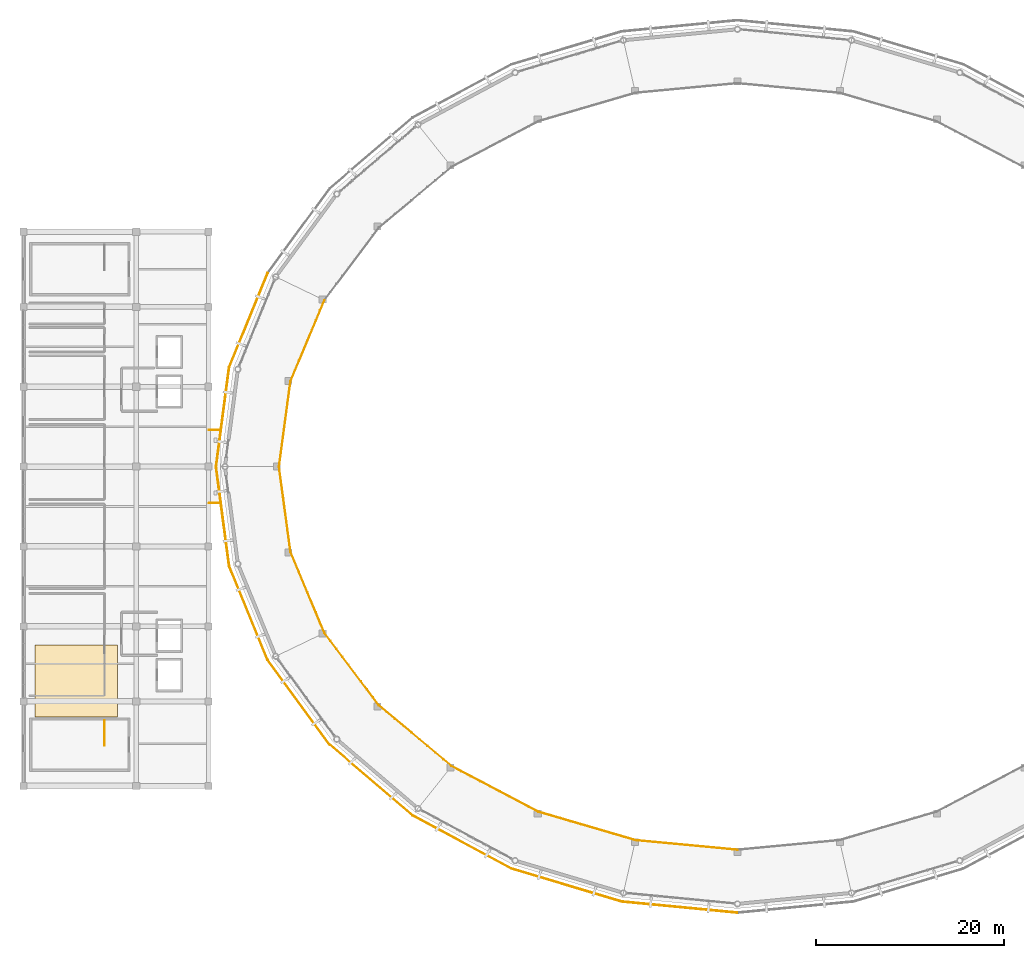
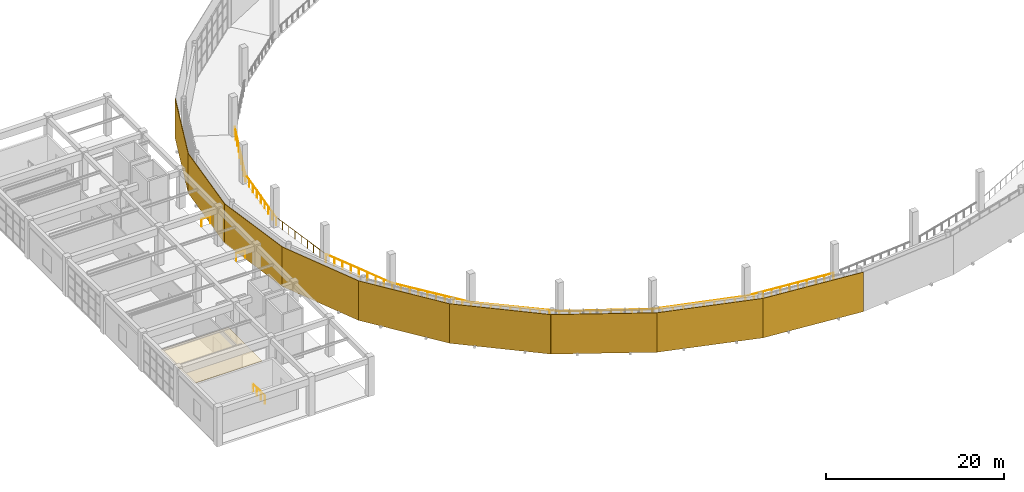
# One storey, part 38 of 40: 12 railings, 10 coverings.
"""IFC4 building model written with IfcOpenShell, lengths in metres."""

from ifc_helpers import new_model, si_unit, direction, frame, frame_2d, origin, origin_2d, place, context, subcontext, project, spatial, polyline, rectangle, circle, outline, extrude, material, layer, layer_set, type_object, element, save


model = new_model("IFC4")

# Units and contexts
model_context = context("Model", 3, precision=1e-05, world=origin(), true_north=direction((0.0, 1.0)))
body_context = subcontext(model_context, "Body", "Model", "MODEL_VIEW")
ifc_project = project(units=[si_unit("LENGTHUNIT", "METRE"), si_unit("AREAUNIT", "SQUARE_METRE"), si_unit("VOLUMEUNIT", "CUBIC_METRE"), si_unit("PLANEANGLEUNIT", "RADIAN"), si_unit("MASSUNIT", "GRAM", prefix="KILO")], contexts=[model_context])

# Site, building, storey
site_placement = place(None, origin())
site = spatial("IfcSite", under=ifc_project, at=site_placement, CompositionType="ELEMENT")
building_placement = place(site_placement, origin())
building = spatial("IfcBuilding", under=site, at=building_placement, Name="Cuetzalor Civic Arena", CompositionType="ELEMENT")
storey_placement = place(building_placement, frame((0.0, 0.0, 26.39990234375)))
storey = spatial("IfcBuildingStorey", under=building, at=storey_placement, Name="L05", CompositionType="ELEMENT", Elevation=26.39990234375)

# Covering
ifc_material_1 = material(Name="Perforated acoustic mineral ceiling board", Category="gypsum")
ifc_layer_1 = layer(ifc_material_1, 0.02490234375)
ifc_layer_set_1 = layer_set([ifc_layer_1], Name="Perforated acoustic mineral ceiling board")
covering_type_1 = type_object("IfcCoveringType", Name="AcousticMineralCeiling_25", PredefinedType="CEILING", material=ifc_layer_set_1)
covering_1_placement = place(storey_placement, frame((0.0, 0.0, 3.5)))
element("IfcCovering", 1, at=covering_1_placement, inside=storey, type_object=covering_type_1, Name="Media Workroom West Acoustic Ceiling", PredefinedType="CEILING", context=body_context, shape_type="SweptSolid", body=[
    extrude(outline(polyline([(-74.800048828125, -19.0), (-66.0, -19.0), (-66.0, -26.64990234375), (-74.800048828125, -26.64990234375), (-74.800048828125, -19.0)])), origin(), (0.0, 0.0, 1.0), 0.025146484375),
])

# Railings
ifc_material_2 = material(Name="Reseda-green Steel S355 and laminated glass guard", Category="steel")
railing_type_1 = type_object("IfcRailingType", Name="BowlSightlineGuard_1100", PredefinedType="BALUSTRADE", material=ifc_material_2)
railing_1_placement = place(storey_placement, frame((-43.96728515625, 17.702392578125, 0.0)))
element("IfcRailing", 2, at=railing_1_placement, inside=storey, type_object=railing_type_1, Name="Commentary Catwalk Rim Balustrade S13", PredefinedType="BALUSTRADE", context=body_context, shape_type="SweptSolid", body=[
    extrude(circle(Radius=0.02392578125, at=origin_2d()), frame((0.0, 0.0, 1.076171875), z_axis=(-0.386072454688, -0.92246846002, 0.0), x_axis=(0.92246846002, -0.386072454688, 0.0)), (0.0, 0.0, 1.0), 9.348388671875),
    extrude(circle(Radius=0.02099609375, at=origin_2d()), origin(), (0.0, 0.0, 1.0), 1.052001953125),
    extrude(circle(Radius=0.02099609375, at=origin_2d()), frame((-0.451171875, -1.077880859375, 0.0)), (0.0, 0.0, 1.0), 1.052001953125),
    extrude(circle(Radius=0.02099609375, at=origin_2d()), frame((-0.90234375, -2.15576171875, 0.0)), (0.0, 0.0, 1.0), 1.052001953125),
    extrude(circle(Radius=0.02099609375, at=origin_2d()), frame((-1.353515625, -3.23388671875, 0.0)), (0.0, 0.0, 1.0), 1.052001953125),
    extrude(circle(Radius=0.02099609375, at=origin_2d()), frame((-1.8046875, -4.311767578125, 0.0)), (0.0, 0.0, 1.0), 1.052001953125),
    extrude(circle(Radius=0.02099609375, at=origin_2d()), frame((-2.255615234375, -5.3896484375, 0.0)), (0.0, 0.0, 1.0), 1.052001953125),
    extrude(circle(Radius=0.02099609375, at=origin_2d()), frame((-2.706787109375, -6.4677734375, 0.0)), (0.0, 0.0, 1.0), 1.052001953125),
    extrude(circle(Radius=0.02099609375, at=origin_2d()), frame((-3.157958984375, -7.545654296875, 0.0)), (0.0, 0.0, 1.0), 1.052001953125),
    extrude(circle(Radius=0.02099609375, at=origin_2d()), frame((-3.609130859375, -8.62353515625, 0.0)), (0.0, 0.0, 1.0), 1.052001953125),
])
railing_2_placement = place(storey_placement, frame((-47.576416015625, 9.078857421875, 0.0)))
element("IfcRailing", 3, at=railing_2_placement, inside=storey, type_object=railing_type_1, Name="Commentary Catwalk Rim Balustrade S14", PredefinedType="BALUSTRADE", context=body_context, shape_type="SweptSolid", body=[
    extrude(circle(Radius=0.02392578125, at=origin_2d()), frame((0.0, 0.0, 1.076171875), z_axis=(-0.133570575466, -0.991039303645, 0.0), x_axis=(0.991039303645, -0.133570575466, 0.0)), (0.0, 0.0, 1.0), 9.160888671875),
    extrude(circle(Radius=0.02099609375, at=origin_2d()), origin(), (0.0, 0.0, 1.0), 1.052001953125),
    extrude(circle(Radius=0.02099609375, at=origin_2d()), frame((-0.15283203125, -1.134765625, 0.0)), (0.0, 0.0, 1.0), 1.052001953125),
    extrude(circle(Radius=0.02099609375, at=origin_2d()), frame((-0.305908203125, -2.269775390625, 0.0)), (0.0, 0.0, 1.0), 1.052001953125),
    extrude(circle(Radius=0.02099609375, at=origin_2d()), frame((-0.458984375, -3.404541015625, 0.0)), (0.0, 0.0, 1.0), 1.052001953125),
    extrude(circle(Radius=0.02099609375, at=origin_2d()), frame((-0.61181640625, -4.53955078125, 0.0)), (0.0, 0.0, 1.0), 1.052001953125),
    extrude(circle(Radius=0.02099609375, at=origin_2d()), frame((-0.7646484375, -5.67431640625, 0.0)), (0.0, 0.0, 1.0), 1.052001953125),
    extrude(circle(Radius=0.02099609375, at=origin_2d()), frame((-0.917724609375, -6.80908203125, 0.0)), (0.0, 0.0, 1.0), 1.052001953125),
    extrude(circle(Radius=0.02099609375, at=origin_2d()), frame((-1.07080078125, -7.944091796875, 0.0)), (0.0, 0.0, 1.0), 1.052001953125),
    extrude(circle(Radius=0.02099609375, at=origin_2d()), frame((-1.2236328125, -9.078857421875, 0.0)), (0.0, 0.0, 1.0), 1.052001953125),
])
railing_3_placement = place(storey_placement, frame((-48.800048828125, 0.0, 0.0)))
element("IfcRailing", 4, at=railing_3_placement, inside=storey, type_object=railing_type_1, Name="Commentary Catwalk Rim Balustrade S15", PredefinedType="BALUSTRADE", context=body_context, shape_type="SweptSolid", body=[
    extrude(circle(Radius=0.02392578125, at=origin_2d()), frame((0.0, 0.0, 1.076171875), z_axis=(0.133570575466, -0.991039303645, 0.0), x_axis=(0.991039303645, 0.133570575466, 0.0)), (0.0, 0.0, 1.0), 9.160888671875),
    extrude(circle(Radius=0.02099609375, at=origin_2d()), origin(), (0.0, 0.0, 1.0), 1.052001953125),
    extrude(circle(Radius=0.02099609375, at=origin_2d()), frame((0.15283203125, -1.134765625, 0.0)), (0.0, 0.0, 1.0), 1.052001953125),
    extrude(circle(Radius=0.02099609375, at=origin_2d()), frame((0.305908203125, -2.269775390625, 0.0)), (0.0, 0.0, 1.0), 1.052001953125),
    extrude(circle(Radius=0.02099609375, at=origin_2d()), frame((0.458984375, -3.404541015625, 0.0)), (0.0, 0.0, 1.0), 1.052001953125),
    extrude(circle(Radius=0.02099609375, at=origin_2d()), frame((0.61181640625, -4.53955078125, 0.0)), (0.0, 0.0, 1.0), 1.052001953125),
    extrude(circle(Radius=0.02099609375, at=origin_2d()), frame((0.7646484375, -5.67431640625, 0.0)), (0.0, 0.0, 1.0), 1.052001953125),
    extrude(circle(Radius=0.02099609375, at=origin_2d()), frame((0.917724609375, -6.80908203125, 0.0)), (0.0, 0.0, 1.0), 1.052001953125),
    extrude(circle(Radius=0.02099609375, at=origin_2d()), frame((1.07080078125, -7.944091796875, 0.0)), (0.0, 0.0, 1.0), 1.052001953125),
    extrude(circle(Radius=0.02099609375, at=origin_2d()), frame((1.2236328125, -9.078857421875, 0.0)), (0.0, 0.0, 1.0), 1.052001953125),
])
railing_4_placement = place(storey_placement, frame((-47.576416015625, -9.078857421875, 0.0)))
element("IfcRailing", 5, at=railing_4_placement, inside=storey, type_object=railing_type_1, Name="Commentary Catwalk Rim Balustrade S16", PredefinedType="BALUSTRADE", context=body_context, shape_type="SweptSolid", body=[
    extrude(circle(Radius=0.02392578125, at=origin_2d()), frame((0.0, 0.0, 1.076171875), z_axis=(0.386072454688, -0.92246846002, 0.0), x_axis=(0.92246846002, 0.386072454688, 0.0)), (0.0, 0.0, 1.0), 9.348388671875),
    extrude(circle(Radius=0.02099609375, at=origin_2d()), origin(), (0.0, 0.0, 1.0), 1.052001953125),
    extrude(circle(Radius=0.02099609375, at=origin_2d()), frame((0.451171875, -1.077880859375, 0.0)), (0.0, 0.0, 1.0), 1.052001953125),
    extrude(circle(Radius=0.02099609375, at=origin_2d()), frame((0.90234375, -2.15576171875, 0.0)), (0.0, 0.0, 1.0), 1.052001953125),
    extrude(circle(Radius=0.02099609375, at=origin_2d()), frame((1.353515625, -3.23388671875, 0.0)), (0.0, 0.0, 1.0), 1.052001953125),
    extrude(circle(Radius=0.02099609375, at=origin_2d()), frame((1.8046875, -4.311767578125, 0.0)), (0.0, 0.0, 1.0), 1.052001953125),
    extrude(circle(Radius=0.02099609375, at=origin_2d()), frame((2.255615234375, -5.3896484375, 0.0)), (0.0, 0.0, 1.0), 1.052001953125),
    extrude(circle(Radius=0.02099609375, at=origin_2d()), frame((2.706787109375, -6.4677734375, 0.0)), (0.0, 0.0, 1.0), 1.052001953125),
    extrude(circle(Radius=0.02099609375, at=origin_2d()), frame((3.157958984375, -7.545654296875, 0.0)), (0.0, 0.0, 1.0), 1.052001953125),
    extrude(circle(Radius=0.02099609375, at=origin_2d()), frame((3.609130859375, -8.62353515625, 0.0)), (0.0, 0.0, 1.0), 1.052001953125),
])
railing_5_placement = place(storey_placement, frame((-43.96728515625, -17.702392578125, 0.0)))
element("IfcRailing", 6, at=railing_5_placement, inside=storey, type_object=railing_type_1, Name="Commentary Catwalk Rim Balustrade S17", PredefinedType="BALUSTRADE", context=body_context, shape_type="SweptSolid", body=[
    extrude(circle(Radius=0.02392578125, at=origin_2d()), frame((0.0, 0.0, 1.076171875), z_axis=(0.600786832666, -0.799409270458, 0.0), x_axis=(0.799409270458, 0.600786832666, 0.0)), (0.0, 0.0, 1.0), 9.67724609375),
    extrude(circle(Radius=0.02099609375, at=origin_2d()), origin(), (0.0, 0.0, 1.0), 1.052001953125),
    extrude(circle(Radius=0.02099609375, at=origin_2d()), frame((0.64599609375, -0.859619140625, 0.0)), (0.0, 0.0, 1.0), 1.052001953125),
    extrude(circle(Radius=0.02099609375, at=origin_2d()), frame((1.2919921875, -1.71923828125, 0.0)), (0.0, 0.0, 1.0), 1.052001953125),
    extrude(circle(Radius=0.02099609375, at=origin_2d()), frame((1.93798828125, -2.57861328125, 0.0)), (0.0, 0.0, 1.0), 1.052001953125),
    extrude(circle(Radius=0.02099609375, at=origin_2d()), frame((2.583984375, -3.438232421875, 0.0)), (0.0, 0.0, 1.0), 1.052001953125),
    extrude(circle(Radius=0.02099609375, at=origin_2d()), frame((3.22998046875, -4.2978515625, 0.0)), (0.0, 0.0, 1.0), 1.052001953125),
    extrude(circle(Radius=0.02099609375, at=origin_2d()), frame((3.8759765625, -5.157470703125, 0.0)), (0.0, 0.0, 1.0), 1.052001953125),
    extrude(circle(Radius=0.02099609375, at=origin_2d()), frame((4.52197265625, -6.016845703125, 0.0)), (0.0, 0.0, 1.0), 1.052001953125),
    extrude(circle(Radius=0.02099609375, at=origin_2d()), frame((5.16796875, -6.87646484375, 0.0)), (0.0, 0.0, 1.0), 1.052001953125),
    extrude(circle(Radius=0.02099609375, at=origin_2d()), frame((5.81396484375, -7.736083984375, 0.0)), (0.0, 0.0, 1.0), 1.052001953125),
])
railing_6_placement = place(storey_placement, frame((-38.1533203125, -25.4384765625, 0.0)))
element("IfcRailing", 7, at=railing_6_placement, inside=storey, type_object=railing_type_1, Name="Commentary Catwalk Rim Balustrade S18", PredefinedType="BALUSTRADE", context=body_context, shape_type="SweptSolid", body=[
    extrude(circle(Radius=0.02392578125, at=origin_2d()), frame((0.0, 0.0, 1.076171875), z_axis=(0.76719506294, -0.64141385657, 0.0), x_axis=(0.64141385657, 0.76719506294, 0.0)), (0.0, 0.0, 1.0), 10.07177734375),
    extrude(circle(Radius=0.02099609375, at=origin_2d()), origin(), (0.0, 0.0, 1.0), 1.052001953125),
    extrude(circle(Radius=0.02099609375, at=origin_2d()), frame((0.858642578125, -0.7177734375, 0.0)), (0.0, 0.0, 1.0), 1.052001953125),
    extrude(circle(Radius=0.02099609375, at=origin_2d()), frame((1.717041015625, -1.435546875, 0.0)), (0.0, 0.0, 1.0), 1.052001953125),
    extrude(circle(Radius=0.02099609375, at=origin_2d()), frame((2.57568359375, -2.1533203125, 0.0)), (0.0, 0.0, 1.0), 1.052001953125),
    extrude(circle(Radius=0.02099609375, at=origin_2d()), frame((3.434326171875, -2.87109375, 0.0)), (0.0, 0.0, 1.0), 1.052001953125),
    extrude(circle(Radius=0.02099609375, at=origin_2d()), frame((4.292724609375, -3.589111328125, 0.0)), (0.0, 0.0, 1.0), 1.052001953125),
    extrude(circle(Radius=0.02099609375, at=origin_2d()), frame((5.1513671875, -4.306884765625, 0.0)), (0.0, 0.0, 1.0), 1.052001953125),
    extrude(circle(Radius=0.02099609375, at=origin_2d()), frame((6.010009765625, -5.024658203125, 0.0)), (0.0, 0.0, 1.0), 1.052001953125),
    extrude(circle(Radius=0.02099609375, at=origin_2d()), frame((6.868408203125, -5.742431640625, 0.0)), (0.0, 0.0, 1.0), 1.052001953125),
    extrude(circle(Radius=0.02099609375, at=origin_2d()), frame((7.72705078125, -6.460205078125, 0.0)), (0.0, 0.0, 1.0), 1.052001953125),
])
railing_7_placement = place(storey_placement, frame((-30.42626953125, -31.898681640625, 0.0)))
element("IfcRailing", 8, at=railing_7_placement, inside=storey, type_object=railing_type_1, Name="Commentary Catwalk Rim Balustrade S19", PredefinedType="BALUSTRADE", context=body_context, shape_type="SweptSolid", body=[
    extrude(circle(Radius=0.02392578125, at=origin_2d()), frame((0.0, 0.0, 1.076171875), z_axis=(0.885272653708, -0.465072390705, 0.0), x_axis=(0.465072390705, 0.885272653708, 0.0)), (0.0, 0.0, 1.0), 10.451904296875),
    extrude(circle(Radius=0.02099609375, at=origin_2d()), origin(), (0.0, 0.0, 1.0), 1.052001953125),
    extrude(circle(Radius=0.02099609375, at=origin_2d()), frame((1.028076171875, -0.5400390625, 0.0)), (0.0, 0.0, 1.0), 1.052001953125),
    extrude(circle(Radius=0.02099609375, at=origin_2d()), frame((2.05615234375, -1.080078125, 0.0)), (0.0, 0.0, 1.0), 1.052001953125),
    extrude(circle(Radius=0.02099609375, at=origin_2d()), frame((3.084228515625, -1.620361328125, 0.0)), (0.0, 0.0, 1.0), 1.052001953125),
    extrude(circle(Radius=0.02099609375, at=origin_2d()), frame((4.1123046875, -2.160400390625, 0.0)), (0.0, 0.0, 1.0), 1.052001953125),
    extrude(circle(Radius=0.02099609375, at=origin_2d()), frame((5.140380859375, -2.700439453125, 0.0)), (0.0, 0.0, 1.0), 1.052001953125),
    extrude(circle(Radius=0.02099609375, at=origin_2d()), frame((6.16845703125, -3.240478515625, 0.0)), (0.0, 0.0, 1.0), 1.052001953125),
    extrude(circle(Radius=0.02099609375, at=origin_2d()), frame((7.196533203125, -3.78076171875, 0.0)), (0.0, 0.0, 1.0), 1.052001953125),
    extrude(circle(Radius=0.02099609375, at=origin_2d()), frame((8.224609375, -4.32080078125, 0.0)), (0.0, 0.0, 1.0), 1.052001953125),
    extrude(circle(Radius=0.02099609375, at=origin_2d()), frame((9.252685546875, -4.86083984375, 0.0)), (0.0, 0.0, 1.0), 1.052001953125),
])
railing_8_placement = place(storey_placement, frame((-21.173583984375, -36.759521484375, 0.0)))
element("IfcRailing", 9, at=railing_8_placement, inside=storey, type_object=railing_type_1, Name="Commentary Catwalk Rim Balustrade S20", PredefinedType="BALUSTRADE", context=body_context, shape_type="SweptSolid", body=[
    extrude(circle(Radius=0.02392578125, at=origin_2d()), frame((0.0, 0.0, 1.076171875), z_axis=(0.959771456816, -0.280782390263, 0.0), x_axis=(0.280782390263, 0.959771456816, 0.0)), (0.0, 0.0, 1.0), 10.7470703125),
    extrude(circle(Radius=0.02099609375, at=origin_2d()), origin(), (0.0, 0.0, 1.0), 1.052001953125),
    extrude(circle(Radius=0.02099609375, at=origin_2d()), frame((1.14599609375, -0.335205078125, 0.0)), (0.0, 0.0, 1.0), 1.052001953125),
    extrude(circle(Radius=0.02099609375, at=origin_2d()), frame((2.292236328125, -0.670654296875, 0.0)), (0.0, 0.0, 1.0), 1.052001953125),
    extrude(circle(Radius=0.02099609375, at=origin_2d()), frame((3.438232421875, -1.005859375, 0.0)), (0.0, 0.0, 1.0), 1.052001953125),
    extrude(circle(Radius=0.02099609375, at=origin_2d()), frame((4.584228515625, -1.341064453125, 0.0)), (0.0, 0.0, 1.0), 1.052001953125),
    extrude(circle(Radius=0.02099609375, at=origin_2d()), frame((5.73046875, -1.676513671875, 0.0)), (0.0, 0.0, 1.0), 1.052001953125),
    extrude(circle(Radius=0.02099609375, at=origin_2d()), frame((6.87646484375, -2.01171875, 0.0)), (0.0, 0.0, 1.0), 1.052001953125),
    extrude(circle(Radius=0.02099609375, at=origin_2d()), frame((8.0224609375, -2.346923828125, 0.0)), (0.0, 0.0, 1.0), 1.052001953125),
    extrude(circle(Radius=0.02099609375, at=origin_2d()), frame((9.168701171875, -2.682373046875, 0.0)), (0.0, 0.0, 1.0), 1.052001953125),
    extrude(circle(Radius=0.02099609375, at=origin_2d()), frame((10.314697265625, -3.017578125, 0.0)), (0.0, 0.0, 1.0), 1.052001953125),
])
railing_9_placement = place(storey_placement, frame((-10.85888671875, -39.777099609375, 0.0)))
element("IfcRailing", 10, at=railing_9_placement, inside=storey, type_object=railing_type_1, Name="Commentary Catwalk Rim Balustrade S21", PredefinedType="BALUSTRADE", context=body_context, shape_type="SweptSolid", body=[
    extrude(circle(Radius=0.02392578125, at=origin_2d()), frame((0.0, 0.0, 1.076171875), z_axis=(0.995592131062, -0.093788637734, 0.0), x_axis=(0.093788637734, 0.995592131062, 0.0)), (0.0, 0.0, 1.0), 10.906982421875),
    extrude(circle(Radius=0.02099609375, at=origin_2d()), origin(), (0.0, 0.0, 1.0), 1.052001953125),
    extrude(circle(Radius=0.02099609375, at=origin_2d()), frame((1.0859375, -0.102294921875, 0.0)), (0.0, 0.0, 1.0), 1.052001953125),
    extrude(circle(Radius=0.02099609375, at=origin_2d()), frame((2.171875, -0.20458984375, 0.0)), (0.0, 0.0, 1.0), 1.052001953125),
    extrude(circle(Radius=0.02099609375, at=origin_2d()), frame((3.257568359375, -0.306884765625, 0.0)), (0.0, 0.0, 1.0), 1.052001953125),
    extrude(circle(Radius=0.02099609375, at=origin_2d()), frame((4.343505859375, -0.4091796875, 0.0)), (0.0, 0.0, 1.0), 1.052001953125),
    extrude(circle(Radius=0.02099609375, at=origin_2d()), frame((5.429443359375, -0.511474609375, 0.0)), (0.0, 0.0, 1.0), 1.052001953125),
    extrude(circle(Radius=0.02099609375, at=origin_2d()), frame((6.515380859375, -0.61376953125, 0.0)), (0.0, 0.0, 1.0), 1.052001953125),
    extrude(circle(Radius=0.02099609375, at=origin_2d()), frame((7.601318359375, -0.716064453125, 0.0)), (0.0, 0.0, 1.0), 1.052001953125),
    extrude(circle(Radius=0.02099609375, at=origin_2d()), frame((8.68701171875, -0.818359375, 0.0)), (0.0, 0.0, 1.0), 1.052001953125),
    extrude(circle(Radius=0.02099609375, at=origin_2d()), frame((9.77294921875, -0.920654296875, 0.0)), (0.0, 0.0, 1.0), 1.052001953125),
    extrude(circle(Radius=0.02099609375, at=origin_2d()), frame((10.85888671875, -1.02294921875, 0.0)), (0.0, 0.0, 1.0), 1.052001953125),
])
ifc_material_3 = material(Name="Reseda-green architectural Steel S355 balustrade", Category="steel")
railing_type_2 = type_object("IfcRailingType", Name="InteriorVoidBalustrade_1100", PredefinedType="BALUSTRADE", material=ifc_material_3)
railing_10_placement = place(storey_placement, frame((-67.39990234375, -27.0, 0.0)))
element("IfcRailing", 11, at=railing_10_placement, inside=storey, type_object=railing_type_2, Name="L05 ST-16 top well guard 1", PredefinedType="BALUSTRADE", context=body_context, shape_type="SweptSolid", body=[
    extrude(circle(Radius=0.02392578125, at=origin_2d()), frame((0.0, 0.0, 1.0810546875), z_axis=(0.0, -1.0, 0.0), x_axis=(1.0, 0.0, 0.0)), (0.0, 0.0, 1.0), 2.699951171875),
    extrude(circle(Radius=0.02099609375, at=origin_2d()), origin(), (0.0, 0.0, 1.0), 1.056884765625),
    extrude(circle(Radius=0.02099609375, at=origin_2d()), frame((0.0, -0.89990234375, 0.0)), (0.0, 0.0, 1.0), 1.056884765625),
    extrude(circle(Radius=0.02099609375, at=origin_2d()), frame((0.0, -1.800048828125, 0.0)), (0.0, 0.0, 1.0), 1.056884765625),
    extrude(circle(Radius=0.02099609375, at=origin_2d()), frame((0.0, -2.699951171875, 0.0)), (0.0, 0.0, 1.0), 1.056884765625),
])
for number, where, name in (
    (12, (-56.25, -3.89990234375, 0.0), "Seismic Bridge Balustrade V4W L05 S"),
    (13, (-56.25, 3.89990234375, 0.0), "Seismic Bridge Balustrade V4W L05 N"),
):
    element("IfcRailing", number, at=place(storey_placement, frame(where)), inside=storey, type_object=railing_type_2, Name=name, PredefinedType="BALUSTRADE", context=body_context, shape_type="SweptSolid", body=[
        extrude(circle(Radius=0.02392578125, at=origin_2d()), frame((0.0, 0.0, 1.076171875), z_axis=(1.0, 0.0, 0.0), x_axis=(0.0, 1.0, 0.0)), (0.0, 0.0, 1.0), 1.169921875),
        extrude(circle(Radius=0.02099609375, at=origin_2d()), origin(), (0.0, 0.0, 1.0), 1.052001953125),
        extrude(circle(Radius=0.02099609375, at=origin_2d()), frame((1.169921875, 0.0, 0.0)), (0.0, 0.0, 1.0), 1.052001953125),
    ])

# Coverings
ifc_material_4 = material(Name="Terracotta-red perforated anodised aluminium panel", Category="masonry")
ifc_layer_2 = layer(ifc_material_4, 0.080078125)
ifc_layer_set_2 = layer_set([ifc_layer_2], Name="Terracotta-red perforated anodised aluminium panel")
covering_type_2 = type_object("IfcCoveringType", Name="TerracottaPerforatedScreenPanel", PredefinedType="CLADDING", material=ifc_layer_set_2)
covering_2_placement = place(storey_placement, frame((-54.1083984375, 10.569580078125, -0.139892578125), z_axis=(0.0, 0.0, 1.0), x_axis=(0.378411973316, 0.925637282336, 0.0)))
element("IfcCovering", 14, at=covering_2_placement, inside=storey, type_object=covering_type_2, Name="Terracotta Perforated Drum Screen L05-S13", PredefinedType="CLADDING", context=body_context, shape_type="SweptSolid", body=[
    extrude(rectangle(XDim=10.8466796875, YDim=0.080078125, at=frame_2d((5.42333984375, 0.0))), origin(), (0.0, 0.0, 1.0), 5.419921875),
])
for number, where, z_axis, x_axis, name in (
    (15, (-55.5, 0.0, -0.139892578125), (0.0, 0.0, 1.0), (0.130534485624, 0.991443769491, 0.0), "Terracotta Perforated Drum Screen L05-S14"),
    (16, (-54.1083984375, -10.569580078125, -0.139892578125), (0.0, 0.0, 1.0), (-0.130534485624, 0.991443769491, 0.0), "Terracotta Perforated Drum Screen L05-S15"),
):
    element("IfcCovering", number, at=place(storey_placement, frame(where, z_axis=z_axis, x_axis=x_axis)), inside=storey, type_object=covering_type_2, Name=name, PredefinedType="CLADDING", context=body_context, shape_type="SweptSolid", body=[
        extrude(rectangle(XDim=10.660888671875, YDim=0.080078125, at=frame_2d((5.33056640625, 0.0))), origin(), (0.0, 0.0, 1.0), 5.419921875),
    ])
covering_3_placement = place(storey_placement, frame((-50.00390625, -20.609619140625, -0.139892578125), z_axis=(0.0, 0.0, 1.0), x_axis=(-0.378411973316, 0.925637282336, 0.0)))
element("IfcCovering", 17, at=covering_3_placement, inside=storey, type_object=covering_type_2, Name="Terracotta Perforated Drum Screen L05-S16", PredefinedType="CLADDING", context=body_context, shape_type="SweptSolid", body=[
    extrude(rectangle(XDim=10.8466796875, YDim=0.080078125, at=frame_2d((5.42333984375, 0.0))), origin(), (0.0, 0.0, 1.0), 5.419921875),
])
covering_4_placement = place(storey_placement, frame((-43.3916015625, -29.61572265625, -0.139892578125), z_axis=(0.0, 0.0, 1.0), x_axis=(-0.591819224601, 0.806070719846, 0.0)))
element("IfcCovering", 18, at=covering_4_placement, inside=storey, type_object=covering_type_2, Name="Terracotta Perforated Drum Screen L05-S17", PredefinedType="CLADDING", context=body_context, shape_type="SweptSolid", body=[
    extrude(rectangle(XDim=11.1728515625, YDim=0.080078125, at=frame_2d((5.58642578125, 0.0))), origin(), (0.0, 0.0, 1.0), 5.419921875),
])
covering_5_placement = place(storey_placement, frame((-34.603759765625, -37.136962890625, -0.139892578125), z_axis=(0.0, 0.0, 1.0), x_axis=(-0.759734649699, 0.650233236652, 0.0)))
element("IfcCovering", 19, at=covering_5_placement, inside=storey, type_object=covering_type_2, Name="Terracotta Perforated Drum Screen L05-S18", PredefinedType="CLADDING", context=body_context, shape_type="SweptSolid", body=[
    extrude(rectangle(XDim=11.56689453125, YDim=0.080078125, at=frame_2d((5.783447265625, 0.0))), origin(), (0.0, 0.0, 1.0), 5.419921875),
])
covering_6_placement = place(storey_placement, frame((-24.08056640625, -42.7958984375, -0.139892578125), z_axis=(0.0, 0.0, 1.0), x_axis=(-0.880729476331, 0.473619667584, 0.0)))
element("IfcCovering", 20, at=covering_6_placement, inside=storey, type_object=covering_type_2, Name="Terracotta Perforated Drum Screen L05-S19", PredefinedType="CLADDING", context=body_context, shape_type="SweptSolid", body=[
    extrude(rectangle(XDim=11.9482421875, YDim=0.080078125, at=frame_2d((5.97412109375, 0.0))), origin(), (0.0, 0.0, 1.0), 5.419921875),
])
covering_7_placement = place(storey_placement, frame((-12.349853515625, -46.30908203125, -0.139892578125), z_axis=(0.0, 0.0, 1.0), x_axis=(-0.957961714935, 0.286896066056, 0.0)))
element("IfcCovering", 21, at=covering_7_placement, inside=storey, type_object=covering_type_2, Name="Terracotta Perforated Drum Screen L05-S20", PredefinedType="CLADDING", context=body_context, shape_type="SweptSolid", body=[
    extrude(rectangle(XDim=12.24560546875, YDim=0.080078125, at=frame_2d((6.122802734375, 0.0))), origin(), (0.0, 0.0, 1.0), 5.419921875),
])
covering_8_placement = place(storey_placement, frame((0.0, -47.5, -0.139892578125), z_axis=(0.0, 0.0, 1.0), x_axis=(-0.995382637025, 0.095986488157, 0.0)))
element("IfcCovering", 22, at=covering_8_placement, inside=storey, type_object=covering_type_2, Name="Terracotta Perforated Drum Screen L05-S21", PredefinedType="CLADDING", context=body_context, shape_type="SweptSolid", body=[
    extrude(rectangle(XDim=12.4072265625, YDim=0.080078125, at=frame_2d((6.20361328125, 0.0))), origin(), (0.0, 0.0, 1.0), 5.419921875),
])

save(model, "model.ifc")
